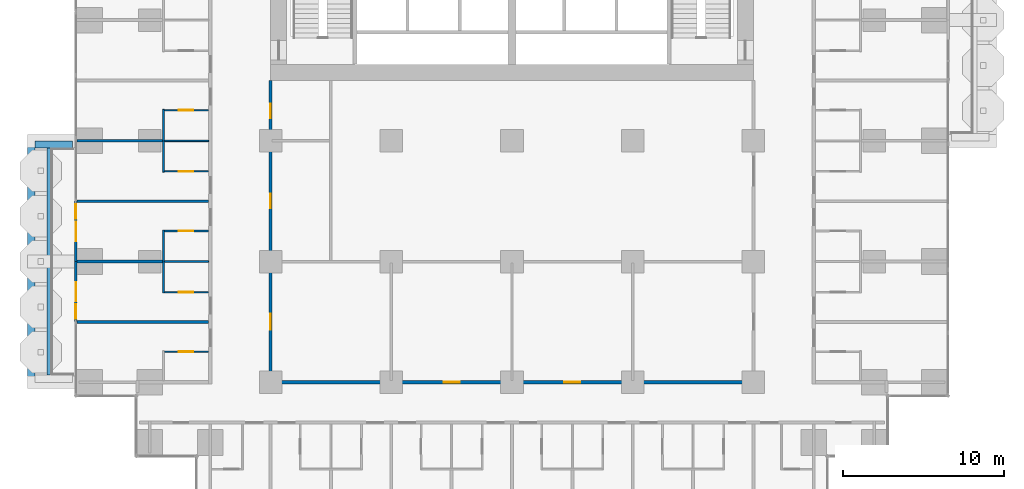
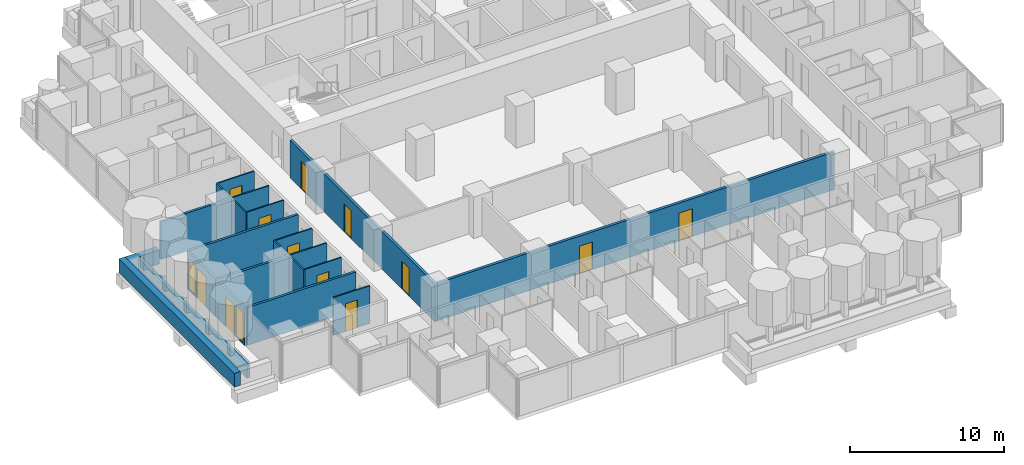
# One storey, part 11 of 19: 20 walls, 12 doors, 2 windows, 14 openings.
"""IFC4 building model written with IfcOpenShell, lengths in metres."""

from ifc_helpers import new_model, si_unit, direction, frame, frame_2d, origin, place, context, subcontext, project, spatial, rectangle, extrude, material, layer, layer_set, type_object, element, fill, save


model = new_model("IFC4")

# Units and contexts
model_context = context("Model", 3, precision=1e-05, world=origin(), true_north=direction((0.0, 1.0)))
body_context = subcontext(model_context, "Body", "Model", "MODEL_VIEW")
ifc_project = project(units=[si_unit("LENGTHUNIT", "METRE"), si_unit("AREAUNIT", "SQUARE_METRE"), si_unit("VOLUMEUNIT", "CUBIC_METRE"), si_unit("PLANEANGLEUNIT", "RADIAN"), si_unit("MASSUNIT", "GRAM", prefix="KILO")], contexts=[model_context])

# Site, building, storey
site_placement = place(None, origin())
site = spatial("IfcSite", under=ifc_project, at=site_placement, CompositionType="ELEMENT")
building_placement = place(site_placement, origin())
building = spatial("IfcBuilding", under=site, at=building_placement, Name="Pilkhan Gate Tower", CompositionType="ELEMENT")
storey_placement = place(building_placement, frame((0.0, 0.0, 46.10009765625)))
storey = spatial("IfcBuildingStorey", under=building, at=storey_placement, Name="L08", CompositionType="ELEMENT", Elevation=46.10009765625)

# Walls
ifc_material_1 = material(Name="Dense blockwork", Category="masonry")
ifc_layer_1 = layer(ifc_material_1, 0.175048828125)
ifc_layer_set_1 = layer_set([ifc_layer_1], Name="Acoustic party wall PW175")
wall_type_1 = type_object("IfcWallType", Name="Acoustic party wall PW175", PredefinedType="PARTITIONING", material=ifc_layer_set_1)
wall_1_placement = place(storey_placement, frame((47.985107421875, 56.25, 0.0), z_axis=(0.0, 0.0, 1.0), x_axis=(1.0, 0.0, 0.0)))
element("IfcWall", 1, at=wall_1_placement, inside=storey, type_object=wall_type_1, Name="Partition L08", PredefinedType="PARTITIONING", context=body_context, shape_type="SweptSolid", body=[
    extrude(rectangle(XDim=8.164794921875, YDim=0.175048828125, at=frame_2d((4.08251953125, 0.0))), origin(), (0.0, 0.0, 1.0), 3.0),
])
wall_2_placement = place(storey_placement, frame((47.985107421875, 60.0, 0.0), z_axis=(0.0, 0.0, 1.0), x_axis=(1.0, 0.0, 0.0)))
element("IfcWall", 2, at=wall_2_placement, inside=storey, type_object=wall_type_1, Name="Partition L08", PredefinedType="PARTITIONING", context=body_context, shape_type="SweptSolid", body=[
    extrude(rectangle(XDim=5.31494140625, YDim=0.175048828125, at=frame_2d((2.657470703125, 0.0))), origin(), (0.0, 0.0, 1.0), 3.0),
])
wall_3_placement = place(storey_placement, frame((47.985107421875, 63.75, 0.0), z_axis=(0.0, 0.0, 1.0), x_axis=(1.0, 0.0, 0.0)))
element("IfcWall", 3, at=wall_3_placement, inside=storey, type_object=wall_type_1, Name="Partition L08", PredefinedType="PARTITIONING", context=body_context, shape_type="SweptSolid", body=[
    extrude(rectangle(XDim=8.164794921875, YDim=0.175048828125, at=frame_2d((4.08251953125, 0.0))), origin(), (0.0, 0.0, 1.0), 3.0),
])
wall_4_placement = place(storey_placement, frame((47.985107421875, 67.5, 0.0), z_axis=(0.0, 0.0, 1.0), x_axis=(1.0, 0.0, 0.0)))
element("IfcWall", 4, at=wall_4_placement, inside=storey, type_object=wall_type_1, Name="Partition L08", PredefinedType="PARTITIONING", context=body_context, shape_type="SweptSolid", body=[
    extrude(rectangle(XDim=5.31494140625, YDim=0.175048828125, at=frame_2d((2.657470703125, 0.0))), origin(), (0.0, 0.0, 1.0), 3.0),
])
ifc_material_2 = material(Name="Concrete C40/50", Category="concrete")
ifc_layer_2 = layer(ifc_material_2, 0.25)
ifc_layer_set_2 = layer_set([ifc_layer_2], Name="Balcony planter BP250")
wall_type_2 = type_object("IfcWallType", Name="Balcony planter BP250", PredefinedType="USERDEFINED", material=ifc_layer_set_2)
wall_5_placement = place(storey_placement, frame((46.22509765625, 52.949951171875, 0.0), z_axis=(0.0, 0.0, 1.0), x_axis=(0.0, 1.0, 0.0)))
element("IfcWall", 5, at=wall_5_placement, inside=storey, type_object=wall_type_2, Name="Balcony planter L08 W", ObjectType="BALCONY PLANTER", PredefinedType="USERDEFINED", context=body_context, shape_type="SweptSolid", body=[
    extrude(rectangle(XDim=14.10009765625, YDim=0.25, at=frame_2d((7.050048828125, 0.0))), origin(), (0.0, 0.0, 1.0), 1.0),
])
ifc_material_3 = material(Name="Board-marked Concrete C40/50", Category="concrete")
ifc_layer_3 = layer(ifc_material_3, 0.449951171875)
ifc_layer_set_3 = layer_set([ifc_layer_3], Name="Balcony planter lip BL450")
wall_type_3 = type_object("IfcWallType", Name="Balcony planter lip BL450", PredefinedType="USERDEFINED", material=ifc_layer_set_3)
wall_6_placement = place(storey_placement, frame((45.125, 52.5, 0.0), z_axis=(0.0, 0.0, 1.0), x_axis=(0.0, 1.0, 0.0)))
element("IfcWall", 6, at=wall_6_placement, inside=storey, type_object=wall_type_3, Name="Balcony planter L08 W", ObjectType="BALCONY PLANTER", PredefinedType="USERDEFINED", context=body_context, shape_type="SweptSolid", body=[
    extrude(rectangle(XDim=15.0, YDim=0.449951171875, at=frame_2d((7.5, 0.0))), origin(), (0.0, 0.0, 1.0), 1.099853515625),
])
wall_7_placement = place(storey_placement, frame((47.679931640625, 67.27490234375, 0.0), z_axis=(0.0, 0.0, 1.0), x_axis=(-1.0, 0.0, 0.0)))
element("IfcWall", 7, at=wall_7_placement, inside=storey, type_object=wall_type_3, Name="Balcony planter L08 W", ObjectType="BALCONY PLANTER", PredefinedType="USERDEFINED", context=body_context, shape_type="SweptSolid", body=[
    extrude(rectangle(XDim=2.329833984375, YDim=0.449951171875, at=frame_2d((1.1650390625, 0.0))), origin(), (0.0, 0.0, 1.0), 1.099853515625),
])

# Wall, openings, doors
ifc_layer_4 = layer(ifc_material_1, 0.199951171875)
ifc_layer_set_4 = layer_set([ifc_layer_4], Name="Corridor wall FW200")
wall_type_4 = type_object("IfcWallType", Name="Corridor wall FW200", PredefinedType="PARTITIONING", material=ifc_layer_set_4)
wall_8_placement = place(storey_placement, frame((60.10009765625, 52.5, 0.0), z_axis=(0.0, 0.0, 1.0), x_axis=(1.0, 0.0, 0.0)))
wall_8 = element("IfcWall", 8, at=wall_8_placement, inside=storey, type_object=wall_type_4, Name="Partition L08", PredefinedType="PARTITIONING", context=body_context, shape_type="SweptSolid", body=[
    extrude(rectangle(XDim=29.7998046875, YDim=0.199951171875, at=frame_2d((14.89990234375, 0.0))), origin(), (0.0, 0.0, 1.0), 3.0),
])
opening_1_placement = place(wall_8_placement, frame((10.64990234375, 0.0, 0.0)))
opening_1 = element("IfcOpeningElement", 9, at=opening_1_placement, cuts=wall_8, Name="Opening L08-68", PredefinedType="OPENING", context=body_context, shape_type="SweptSolid", body=[
    extrude(rectangle(XDim=1.0, YDim=2.199951171875, at=frame_2d((0.5, 1.10009765625))), frame((0.0, 0.10986328125, 0.0), z_axis=(0.0, -1.0, 0.0), x_axis=(1.0, 0.0, 0.0)), (0.0, 0.0, 1.0), 0.219970703125),
])
opening_2_placement = place(wall_8_placement, frame((18.14990234375, 0.0, 0.0)))
opening_2 = element("IfcOpeningElement", 10, at=opening_2_placement, cuts=wall_8, Name="Opening L08-69", PredefinedType="OPENING", context=body_context, shape_type="SweptSolid", body=[
    extrude(rectangle(XDim=1.0, YDim=2.199951171875, at=frame_2d((0.5, 1.10009765625))), frame((0.0, 0.10986328125, 0.0), z_axis=(0.0, -1.0, 0.0), x_axis=(1.0, 0.0, 0.0)), (0.0, 0.0, 1.0), 0.219970703125),
])
ifc_material_4 = material(Name="Timber flush door, 30 minute fire resisting", Category="wood")
door_type_1 = type_object("IfcDoorType", Name="Room door D03 1000x2200", OperationType="SINGLE_SWING_LEFT", PredefinedType="DOOR", material=ifc_material_4)
door_1_placement = place(opening_1_placement, origin())
door_1 = element("IfcDoor", 11, at=door_1_placement, inside=storey, type_object=door_type_1, Name="Room door", OperationType="SINGLE_SWING_LEFT", OverallHeight=2.199951171875, OverallWidth=1.0, PredefinedType="DOOR", context=body_context, shape_type="SweptSolid", body=[
    extrude(rectangle(XDim=1.0, YDim=2.199951171875, at=frame_2d((0.5, 1.10009765625))), frame((0.0, 0.02490234375, 0.0), z_axis=(0.0, -1.0, 0.0), x_axis=(1.0, 0.0, 0.0)), (0.0, 0.0, 1.0), 0.050048828125),
])
fill(opening_1, door_1)
door_2_placement = place(opening_2_placement, origin())
door_2 = element("IfcDoor", 12, at=door_2_placement, inside=storey, type_object=door_type_1, Name="Room door", OperationType="SINGLE_SWING_LEFT", OverallHeight=2.199951171875, OverallWidth=1.0, PredefinedType="DOOR", context=body_context, shape_type="SweptSolid", body=[
    extrude(rectangle(XDim=1.0, YDim=2.199951171875, at=frame_2d((0.5, 1.10009765625))), frame((0.0, 0.02490234375, 0.0), z_axis=(0.0, -1.0, 0.0), x_axis=(1.0, 0.0, 0.0)), (0.0, 0.0, 1.0), 0.050048828125),
])
fill(opening_2, door_2)

wall_9_placement = place(storey_placement, frame((60.0, 52.39990234375, 0.0), z_axis=(0.0, 0.0, 1.0), x_axis=(0.0, 1.0, 0.0)))
wall_9 = element("IfcWall", 13, at=wall_9_placement, inside=storey, type_object=wall_type_4, Name="Partition L08", PredefinedType="PARTITIONING", context=body_context, shape_type="SweptSolid", body=[
    extrude(rectangle(XDim=18.840087890625, YDim=0.199951171875, at=frame_2d((9.419921875, 0.0))), origin(), (0.0, 0.0, 1.0), 3.0),
])
opening_3_placement = place(wall_9_placement, frame((3.35009765625, 0.0, 0.0)))
opening_3 = element("IfcOpeningElement", 14, at=opening_3_placement, cuts=wall_9, Name="Opening L08-67", PredefinedType="OPENING", context=body_context, shape_type="SweptSolid", body=[
    extrude(rectangle(XDim=1.0, YDim=2.199951171875, at=frame_2d((0.5, 1.10009765625))), frame((0.0, 0.10986328125, 0.0), z_axis=(0.0, -1.0, 0.0), x_axis=(1.0, 0.0, 0.0)), (0.0, 0.0, 1.0), 0.219970703125),
])
opening_4_placement = place(wall_9_placement, frame((10.89990234375, 0.0, 0.0)))
opening_4 = element("IfcOpeningElement", 15, at=opening_4_placement, cuts=wall_9, Name="Opening L08-71", PredefinedType="OPENING", context=body_context, shape_type="SweptSolid", body=[
    extrude(rectangle(XDim=0.89990234375, YDim=2.199951171875, at=frame_2d((0.449951171875, 1.10009765625))), frame((0.0, 0.10986328125, 0.0), z_axis=(0.0, -1.0, 0.0), x_axis=(1.0, 0.0, 0.0)), (0.0, 0.0, 1.0), 0.219970703125),
])
opening_5_placement = place(wall_9_placement, frame((16.5, 0.0, 0.0)))
opening_5 = element("IfcOpeningElement", 16, at=opening_5_placement, cuts=wall_9, Name="Opening L08-72", PredefinedType="OPENING", context=body_context, shape_type="SweptSolid", body=[
    extrude(rectangle(XDim=0.89990234375, YDim=2.199951171875, at=frame_2d((0.449951171875, 1.10009765625))), frame((0.0, 0.10986328125, 0.0), z_axis=(0.0, -1.0, 0.0), x_axis=(1.0, 0.0, 0.0)), (0.0, 0.0, 1.0), 0.219970703125),
])
door_3_placement = place(opening_3_placement, origin())
door_3 = element("IfcDoor", 17, at=door_3_placement, inside=storey, type_object=door_type_1, Name="Room door", OperationType="SINGLE_SWING_LEFT", OverallHeight=2.199951171875, OverallWidth=1.0, PredefinedType="DOOR", context=body_context, shape_type="SweptSolid", body=[
    extrude(rectangle(XDim=1.0, YDim=2.199951171875, at=frame_2d((0.5, 1.10009765625))), frame((0.0, 0.02490234375, 0.0), z_axis=(0.0, -1.0, 0.0), x_axis=(1.0, 0.0, 0.0)), (0.0, 0.0, 1.0), 0.050048828125),
])
fill(opening_3, door_3)
ifc_material_5 = material(Name="Timber flush door, 60 minute fire resisting, self-closing", Category="wood")
door_type_2 = type_object("IfcDoorType", Name="Store door D05 900x2200", OperationType="SINGLE_SWING_LEFT", PredefinedType="DOOR", material=ifc_material_5)
door_4_placement = place(opening_4_placement, origin())
door_4 = element("IfcDoor", 18, at=door_4_placement, inside=storey, type_object=door_type_2, Name="Store door", OperationType="SINGLE_SWING_RIGHT", OverallHeight=2.199951171875, OverallWidth=0.89990234375, PredefinedType="DOOR", context=body_context, shape_type="SweptSolid", body=[
    extrude(rectangle(XDim=0.89990234375, YDim=2.199951171875, at=frame_2d((0.449951171875, 1.10009765625))), frame((0.0, 0.02490234375, 0.0), z_axis=(0.0, -1.0, 0.0), x_axis=(1.0, 0.0, 0.0)), (0.0, 0.0, 1.0), 0.050048828125),
])
fill(opening_4, door_4)
door_5_placement = place(opening_5_placement, origin())
door_5 = element("IfcDoor", 19, at=door_5_placement, inside=storey, type_object=door_type_2, Name="Store door", OperationType="SINGLE_SWING_LEFT", OverallHeight=2.199951171875, OverallWidth=0.89990234375, PredefinedType="DOOR", context=body_context, shape_type="SweptSolid", body=[
    extrude(rectangle(XDim=0.89990234375, YDim=2.199951171875, at=frame_2d((0.449951171875, 1.10009765625))), frame((0.0, 0.02490234375, 0.0), z_axis=(0.0, -1.0, 0.0), x_axis=(1.0, 0.0, 0.0)), (0.0, 0.0, 1.0), 0.050048828125),
])
fill(opening_5, door_5)

# Wall, openings, door, window
ifc_material_6 = material(Name="Pale anodised aluminium, clear laminated glazing", Category="aluminium")
ifc_layer_5 = layer(ifc_material_6, 0.14990234375)
ifc_layer_set_5 = layer_set([ifc_layer_5], Name="Facade infill wall IW150")
wall_type_5 = type_object("IfcWallType", Name="Facade infill wall IW150", PredefinedType="SOLIDWALL", material=ifc_layer_set_5)
wall_10_placement = place(storey_placement, frame((47.905029296875, 56.25, 0.0), z_axis=(0.0, 0.0, 1.0), x_axis=(0.0, 1.0, 0.0)))
wall_10 = element("IfcWall", 20, at=wall_10_placement, inside=storey, type_object=wall_type_5, Name="Infill wall L08 W", PredefinedType="SOLIDWALL", context=body_context, shape_type="SweptSolid", body=[
    extrude(rectangle(XDim=3.75, YDim=0.14990234375, at=frame_2d((1.875, 0.0))), origin(), (0.0, 0.0, 1.0), 3.0),
])
opening_6_placement = place(wall_10_placement, frame((0.1875, 0.0, 0.10009765625)))
opening_6 = element("IfcOpeningElement", 21, at=opening_6_placement, cuts=wall_10, Name="Opening W1", PredefinedType="OPENING", context=body_context, shape_type="SweptSolid", body=[
    extrude(rectangle(XDim=0.89990234375, YDim=2.39990234375, at=frame_2d((0.449951171875, 1.199951171875))), frame((0.0, 0.0849609375, 0.0), z_axis=(0.0, -1.0, 0.0), x_axis=(1.0, 0.0, 0.0)), (0.0, 0.0, 1.0), 0.169921875),
])
opening_7_placement = place(wall_10_placement, frame((1.27490234375, 0.0, 0.0)))
opening_7 = element("IfcOpeningElement", 22, at=opening_7_placement, cuts=wall_10, Name="Opening D1", PredefinedType="OPENING", context=body_context, shape_type="SweptSolid", body=[
    extrude(rectangle(XDim=1.199951171875, YDim=2.39990234375, at=frame_2d((0.60009765625, 1.199951171875))), frame((0.0, 0.0849609375, 0.0), z_axis=(0.0, -1.0, 0.0), x_axis=(1.0, 0.0, 0.0)), (0.0, 0.0, 1.0), 0.169921875),
])
ifc_material_7 = material(Name="Pale anodised aluminium, clear glazing", Category="aluminium")
door_type_3 = type_object("IfcDoorType", Name="Balcony door D1 1200x2400", OperationType="SINGLE_SWING_LEFT", PredefinedType="DOOR", material=ifc_material_7)
door_6_placement = place(opening_7_placement, origin())
door_6 = element("IfcDoor", 23, at=door_6_placement, inside=storey, type_object=door_type_3, Name="Balcony door L08", OperationType="SINGLE_SWING_LEFT", OverallHeight=2.39990234375, OverallWidth=1.199951171875, PredefinedType="DOOR", context=body_context, shape_type="SweptSolid", body=[
    extrude(rectangle(XDim=1.199951171875, YDim=2.39990234375, at=frame_2d((0.60009765625, 1.199951171875))), frame((0.0, 0.02490234375, 0.0), z_axis=(0.0, -1.0, 0.0), x_axis=(1.0, 0.0, 0.0)), (0.0, 0.0, 1.0), 0.050048828125),
])
fill(opening_7, door_6)
ifc_material_8 = material(Name="Pale anodised aluminium, clear double glazing", Category="aluminium")
window_type = type_object("IfcWindowType", Name="Window W1 900x2400", PartitioningType="SINGLE_PANEL", PredefinedType="WINDOW", material=ifc_material_8)
window_1_placement = place(opening_6_placement, origin())
window_1 = element("IfcWindow", 24, at=window_1_placement, inside=storey, type_object=window_type, Name="Window L08", OverallHeight=2.39990234375, OverallWidth=0.89990234375, PartitioningType="SINGLE_PANEL", PredefinedType="WINDOW", context=body_context, shape_type="SweptSolid", body=[
    extrude(rectangle(XDim=0.89990234375, YDim=2.39990234375, at=frame_2d((0.449951171875, 1.199951171875))), frame((0.0, 0.030029296875, 0.0), z_axis=(0.0, -1.0, 0.0), x_axis=(1.0, 0.0, 0.0)), (0.0, 0.0, 1.0), 0.06005859375),
])
fill(opening_6, window_1)

wall_11_placement = place(storey_placement, frame((47.905029296875, 60.0, 0.0), z_axis=(0.0, 0.0, 1.0), x_axis=(0.0, 1.0, 0.0)))
wall_11 = element("IfcWall", 25, at=wall_11_placement, inside=storey, type_object=wall_type_5, Name="Infill wall L08 W", PredefinedType="SOLIDWALL", context=body_context, shape_type="SweptSolid", body=[
    extrude(rectangle(XDim=3.75, YDim=0.14990234375, at=frame_2d((1.875, 0.0))), origin(), (0.0, 0.0, 1.0), 3.0),
])
opening_8_placement = place(wall_11_placement, frame((1.27490234375, 0.0, 0.0)))
opening_8 = element("IfcOpeningElement", 26, at=opening_8_placement, cuts=wall_11, Name="Opening D1", PredefinedType="OPENING", context=body_context, shape_type="SweptSolid", body=[
    extrude(rectangle(XDim=1.199951171875, YDim=2.39990234375, at=frame_2d((0.60009765625, 1.199951171875))), frame((0.0, 0.0849609375, 0.0), z_axis=(0.0, -1.0, 0.0), x_axis=(1.0, 0.0, 0.0)), (0.0, 0.0, 1.0), 0.169921875),
])
opening_9_placement = place(wall_11_placement, frame((2.66259765625, 0.0, 0.10009765625)))
opening_9 = element("IfcOpeningElement", 27, at=opening_9_placement, cuts=wall_11, Name="Opening W1", PredefinedType="OPENING", context=body_context, shape_type="SweptSolid", body=[
    extrude(rectangle(XDim=0.89990234375, YDim=2.39990234375, at=frame_2d((0.449951171875, 1.199951171875))), frame((0.0, 0.0849609375, 0.0), z_axis=(0.0, -1.0, 0.0), x_axis=(1.0, 0.0, 0.0)), (0.0, 0.0, 1.0), 0.169921875),
])
door_7_placement = place(opening_8_placement, origin())
door_7 = element("IfcDoor", 28, at=door_7_placement, inside=storey, type_object=door_type_3, Name="Balcony door L08", OperationType="SINGLE_SWING_LEFT", OverallHeight=2.39990234375, OverallWidth=1.199951171875, PredefinedType="DOOR", context=body_context, shape_type="SweptSolid", body=[
    extrude(rectangle(XDim=1.199951171875, YDim=2.39990234375, at=frame_2d((0.60009765625, 1.199951171875))), frame((0.0, 0.02490234375, 0.0), z_axis=(0.0, -1.0, 0.0), x_axis=(1.0, 0.0, 0.0)), (0.0, 0.0, 1.0), 0.050048828125),
])
fill(opening_8, door_7)
window_2_placement = place(opening_9_placement, origin())
window_2 = element("IfcWindow", 29, at=window_2_placement, inside=storey, type_object=window_type, Name="Window L08", OverallHeight=2.39990234375, OverallWidth=0.89990234375, PartitioningType="SINGLE_PANEL", PredefinedType="WINDOW", context=body_context, shape_type="SweptSolid", body=[
    extrude(rectangle(XDim=0.89990234375, YDim=2.39990234375, at=frame_2d((0.449951171875, 1.199951171875))), frame((0.0, 0.030029296875, 0.0), z_axis=(0.0, -1.0, 0.0), x_axis=(1.0, 0.0, 0.0)), (0.0, 0.0, 1.0), 0.06005859375),
])
fill(opening_9, window_2)

# Wall, opening, door
ifc_material_9 = material(Name="Moisture resistant board, tiled")
ifc_layer_6 = layer(ifc_material_9, 0.10009765625)
ifc_layer_set_6 = layer_set([ifc_layer_6], Name="Wet wall PW100")
wall_type_6 = type_object("IfcWallType", Name="Wet wall PW100", PredefinedType="PARTITIONING", material=ifc_layer_set_6)
wall_12_placement = place(storey_placement, frame((53.39990234375, 54.39990234375, 0.0), z_axis=(0.0, 0.0, 1.0), x_axis=(1.0, 0.0, 0.0)))
wall_12 = element("IfcWall", 30, at=wall_12_placement, inside=storey, type_object=wall_type_6, Name="Partition L08", PredefinedType="PARTITIONING", context=body_context, shape_type="SweptSolid", body=[
    extrude(rectangle(XDim=2.75, YDim=0.10009765625, at=frame_2d((1.375, 0.0))), origin(), (0.0, 0.0, 1.0), 3.0),
])
opening_10_placement = place(wall_12_placement, frame((0.89990234375, 0.0, 0.0)))
opening_10 = element("IfcOpeningElement", 31, at=opening_10_placement, cuts=wall_12, Name="Opening L08-27", PredefinedType="OPENING", context=body_context, shape_type="SweptSolid", body=[
    extrude(rectangle(XDim=0.89990234375, YDim=2.199951171875, at=frame_2d((0.449951171875, 1.10009765625))), frame((0.0, 0.06005859375, 0.0), z_axis=(0.0, -1.0, 0.0), x_axis=(1.0, 0.0, 0.0)), (0.0, 0.0, 1.0), 0.1201171875),
])
ifc_material_10 = material(Name="Timber flush door", Category="wood")
door_type_4 = type_object("IfcDoorType", Name="Bathroom door D02 900x2200", OperationType="SINGLE_SWING_RIGHT", PredefinedType="DOOR", material=ifc_material_10)
door_8_placement = place(opening_10_placement, origin())
door_8 = element("IfcDoor", 32, at=door_8_placement, inside=storey, type_object=door_type_4, Name="Bathroom door", OperationType="SINGLE_SWING_RIGHT", OverallHeight=2.199951171875, OverallWidth=0.89990234375, PredefinedType="DOOR", context=body_context, shape_type="SweptSolid", body=[
    extrude(rectangle(XDim=0.89990234375, YDim=2.199951171875, at=frame_2d((0.449951171875, 1.10009765625))), frame((0.0, 0.02490234375, 0.0), z_axis=(0.0, -1.0, 0.0), x_axis=(1.0, 0.0, 0.0)), (0.0, 0.0, 1.0), 0.050048828125),
])
fill(opening_10, door_8)

wall_13_placement = place(storey_placement, frame((53.39990234375, 58.10009765625, 0.0), z_axis=(0.0, 0.0, 1.0), x_axis=(1.0, 0.0, 0.0)))
wall_13 = element("IfcWall", 33, at=wall_13_placement, inside=storey, type_object=wall_type_6, Name="Partition L08", PredefinedType="PARTITIONING", context=body_context, shape_type="SweptSolid", body=[
    extrude(rectangle(XDim=2.75, YDim=0.10009765625, at=frame_2d((1.375, 0.0))), origin(), (0.0, 0.0, 1.0), 3.0),
])
opening_11_placement = place(wall_13_placement, frame((0.89990234375, 0.0, 0.0)))
opening_11 = element("IfcOpeningElement", 34, at=opening_11_placement, cuts=wall_13, Name="Opening L08-29", PredefinedType="OPENING", context=body_context, shape_type="SweptSolid", body=[
    extrude(rectangle(XDim=0.89990234375, YDim=2.199951171875, at=frame_2d((0.449951171875, 1.10009765625))), frame((0.0, 0.06005859375, 0.0), z_axis=(0.0, -1.0, 0.0), x_axis=(1.0, 0.0, 0.0)), (0.0, 0.0, 1.0), 0.1201171875),
])
door_9_placement = place(opening_11_placement, origin())
door_9 = element("IfcDoor", 35, at=door_9_placement, inside=storey, type_object=door_type_4, Name="Bathroom door", OperationType="SINGLE_SWING_RIGHT", OverallHeight=2.199951171875, OverallWidth=0.89990234375, PredefinedType="DOOR", context=body_context, shape_type="SweptSolid", body=[
    extrude(rectangle(XDim=0.89990234375, YDim=2.199951171875, at=frame_2d((0.449951171875, 1.10009765625))), frame((0.0, 0.02490234375, 0.0), z_axis=(0.0, -1.0, 0.0), x_axis=(1.0, 0.0, 0.0)), (0.0, 0.0, 1.0), 0.050048828125),
])
fill(opening_11, door_9)

# Wall
wall_14_placement = place(storey_placement, frame((53.39990234375, 60.0, 0.0), z_axis=(0.0, 0.0, 1.0), x_axis=(1.0, 0.0, 0.0)))
element("IfcWall", 36, at=wall_14_placement, inside=storey, type_object=wall_type_6, Name="Partition L08", PredefinedType="PARTITIONING", context=body_context, shape_type="SweptSolid", body=[
    extrude(rectangle(XDim=2.75, YDim=0.10009765625, at=frame_2d((1.375, 0.0))), origin(), (0.0, 0.0, 1.0), 3.0),
])

# Wall, opening, door
wall_15_placement = place(storey_placement, frame((53.39990234375, 61.89990234375, 0.0), z_axis=(0.0, 0.0, 1.0), x_axis=(1.0, 0.0, 0.0)))
wall_15 = element("IfcWall", 37, at=wall_15_placement, inside=storey, type_object=wall_type_6, Name="Partition L08", PredefinedType="PARTITIONING", context=body_context, shape_type="SweptSolid", body=[
    extrude(rectangle(XDim=2.75, YDim=0.10009765625, at=frame_2d((1.375, 0.0))), origin(), (0.0, 0.0, 1.0), 3.0),
])
opening_12_placement = place(wall_15_placement, frame((0.89990234375, 0.0, 0.0)))
opening_12 = element("IfcOpeningElement", 38, at=opening_12_placement, cuts=wall_15, Name="Opening L08-31", PredefinedType="OPENING", context=body_context, shape_type="SweptSolid", body=[
    extrude(rectangle(XDim=0.89990234375, YDim=2.199951171875, at=frame_2d((0.449951171875, 1.10009765625))), frame((0.0, 0.06005859375, 0.0), z_axis=(0.0, -1.0, 0.0), x_axis=(1.0, 0.0, 0.0)), (0.0, 0.0, 1.0), 0.1201171875),
])
door_10_placement = place(opening_12_placement, origin())
door_10 = element("IfcDoor", 39, at=door_10_placement, inside=storey, type_object=door_type_4, Name="Bathroom door", OperationType="SINGLE_SWING_RIGHT", OverallHeight=2.199951171875, OverallWidth=0.89990234375, PredefinedType="DOOR", context=body_context, shape_type="SweptSolid", body=[
    extrude(rectangle(XDim=0.89990234375, YDim=2.199951171875, at=frame_2d((0.449951171875, 1.10009765625))), frame((0.0, 0.02490234375, 0.0), z_axis=(0.0, -1.0, 0.0), x_axis=(1.0, 0.0, 0.0)), (0.0, 0.0, 1.0), 0.050048828125),
])
fill(opening_12, door_10)

wall_16_placement = place(storey_placement, frame((53.39990234375, 65.60009765625, 0.0), z_axis=(0.0, 0.0, 1.0), x_axis=(1.0, 0.0, 0.0)))
wall_16 = element("IfcWall", 40, at=wall_16_placement, inside=storey, type_object=wall_type_6, Name="Partition L08", PredefinedType="PARTITIONING", context=body_context, shape_type="SweptSolid", body=[
    extrude(rectangle(XDim=2.75, YDim=0.10009765625, at=frame_2d((1.375, 0.0))), origin(), (0.0, 0.0, 1.0), 3.0),
])
opening_13_placement = place(wall_16_placement, frame((0.89990234375, 0.0, 0.0)))
opening_13 = element("IfcOpeningElement", 41, at=opening_13_placement, cuts=wall_16, Name="Opening L08-33", PredefinedType="OPENING", context=body_context, shape_type="SweptSolid", body=[
    extrude(rectangle(XDim=0.89990234375, YDim=2.199951171875, at=frame_2d((0.449951171875, 1.10009765625))), frame((0.0, 0.06005859375, 0.0), z_axis=(0.0, -1.0, 0.0), x_axis=(1.0, 0.0, 0.0)), (0.0, 0.0, 1.0), 0.1201171875),
])
door_11_placement = place(opening_13_placement, origin())
door_11 = element("IfcDoor", 42, at=door_11_placement, inside=storey, type_object=door_type_4, Name="Bathroom door", OperationType="SINGLE_SWING_RIGHT", OverallHeight=2.199951171875, OverallWidth=0.89990234375, PredefinedType="DOOR", context=body_context, shape_type="SweptSolid", body=[
    extrude(rectangle(XDim=0.89990234375, YDim=2.199951171875, at=frame_2d((0.449951171875, 1.10009765625))), frame((0.0, 0.02490234375, 0.0), z_axis=(0.0, -1.0, 0.0), x_axis=(1.0, 0.0, 0.0)), (0.0, 0.0, 1.0), 0.050048828125),
])
fill(opening_13, door_11)

# Wall
wall_17_placement = place(storey_placement, frame((53.39990234375, 67.5, 0.0), z_axis=(0.0, 0.0, 1.0), x_axis=(1.0, 0.0, 0.0)))
element("IfcWall", 43, at=wall_17_placement, inside=storey, type_object=wall_type_6, Name="Partition L08", PredefinedType="PARTITIONING", context=body_context, shape_type="SweptSolid", body=[
    extrude(rectangle(XDim=2.75, YDim=0.10009765625, at=frame_2d((1.375, 0.0))), origin(), (0.0, 0.0, 1.0), 3.0),
])

# Wall, opening, door
wall_18_placement = place(storey_placement, frame((53.39990234375, 69.39990234375, 0.0), z_axis=(0.0, 0.0, 1.0), x_axis=(1.0, 0.0, 0.0)))
wall_18 = element("IfcWall", 44, at=wall_18_placement, inside=storey, type_object=wall_type_6, Name="Partition L08", PredefinedType="PARTITIONING", context=body_context, shape_type="SweptSolid", body=[
    extrude(rectangle(XDim=2.75, YDim=0.10009765625, at=frame_2d((1.375, 0.0))), origin(), (0.0, 0.0, 1.0), 3.0),
])
opening_14_placement = place(wall_18_placement, frame((0.89990234375, 0.0, 0.0)))
opening_14 = element("IfcOpeningElement", 45, at=opening_14_placement, cuts=wall_18, Name="Opening L08-35", PredefinedType="OPENING", context=body_context, shape_type="SweptSolid", body=[
    extrude(rectangle(XDim=0.89990234375, YDim=2.199951171875, at=frame_2d((0.449951171875, 1.10009765625))), frame((0.0, 0.06005859375, 0.0), z_axis=(0.0, -1.0, 0.0), x_axis=(1.0, 0.0, 0.0)), (0.0, 0.0, 1.0), 0.1201171875),
])
door_12_placement = place(opening_14_placement, origin())
door_12 = element("IfcDoor", 46, at=door_12_placement, inside=storey, type_object=door_type_4, Name="Bathroom door", OperationType="SINGLE_SWING_RIGHT", OverallHeight=2.199951171875, OverallWidth=0.89990234375, PredefinedType="DOOR", context=body_context, shape_type="SweptSolid", body=[
    extrude(rectangle(XDim=0.89990234375, YDim=2.199951171875, at=frame_2d((0.449951171875, 1.10009765625))), frame((0.0, 0.02490234375, 0.0), z_axis=(0.0, -1.0, 0.0), x_axis=(1.0, 0.0, 0.0)), (0.0, 0.0, 1.0), 0.050048828125),
])
fill(opening_14, door_12)

# Walls
for number, where, z_axis, x_axis, name in (
    (47, (53.35009765625, 58.050048828125, 0.0), (0.0, 0.0, 1.0), (0.0, 1.0, 0.0), "Partition L08"),
    (48, (53.35009765625, 65.550048828125, 0.0), (0.0, 0.0, 1.0), (0.0, 1.0, 0.0), "Partition L08"),
):
    element("IfcWall", number, at=place(storey_placement, frame(where, z_axis=z_axis, x_axis=x_axis)), inside=storey, type_object=wall_type_6, Name=name, PredefinedType="PARTITIONING", context=body_context, shape_type="SweptSolid", body=[
        extrude(rectangle(XDim=3.89990234375, YDim=0.10009765625, at=frame_2d((1.949951171875, 0.0))), origin(), (0.0, 0.0, 1.0), 3.0),
    ])

save(model, "model.ifc")
